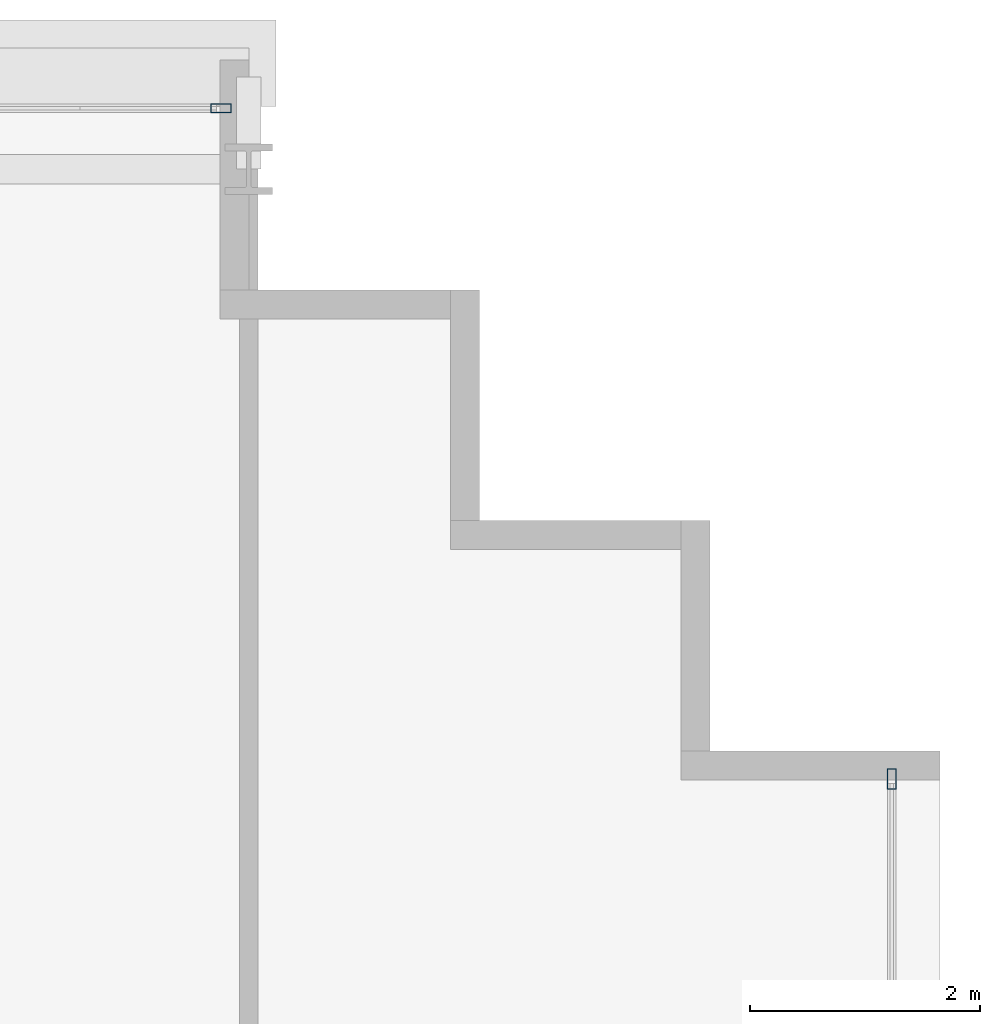
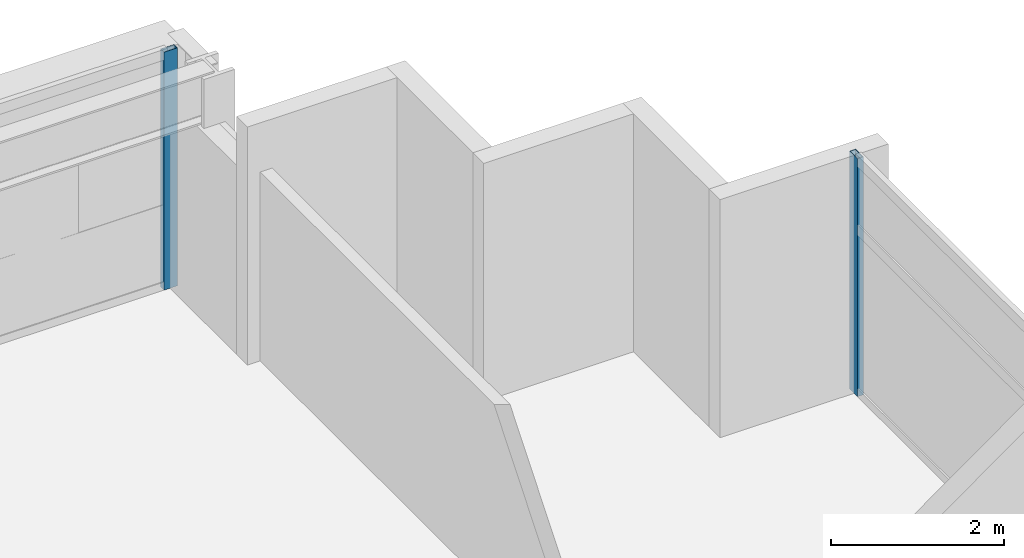
# One storey, part 22 of 34: 2 members, 2 elements without a shape of their own.
"""IFC4 building model written with IfcOpenShell, lengths in metres."""

from ifc_helpers import new_model, si_unit, direction, frame, origin, origin_2d, place, context, subcontext, project, spatial, hollow_rectangle, extrude, source, transform, mapped, material, layer, layer_set, material_profile, profile_set, type_object, element, aggregate, save


model = new_model("IFC4")

# Units and contexts
model_context = context("Model", 3, precision=1e-05, world=origin(), true_north=direction((0.0, 1.0)))
body_context = subcontext(model_context, "Body", "Model", "MODEL_VIEW")
ifc_project = project(units=[si_unit("LENGTHUNIT", "METRE"), si_unit("AREAUNIT", "SQUARE_METRE"), si_unit("VOLUMEUNIT", "CUBIC_METRE"), si_unit("PLANEANGLEUNIT", "RADIAN"), si_unit("MASSUNIT", "GRAM", prefix="KILO")], contexts=[model_context])

# Site, building, storey
site_placement = place(None, origin())
site = spatial("IfcSite", under=ifc_project, at=site_placement, CompositionType="ELEMENT")
building_placement = place(site_placement, origin())
building = spatial("IfcBuilding", under=site, at=building_placement, Name="Ocotamira Hotel", CompositionType="ELEMENT")
storey_placement = place(building_placement, frame((0.0, 0.0, 111.60009765625)))
storey = spatial("IfcBuildingStorey", under=building, at=storey_placement, Name="L27", CompositionType="ELEMENT", Elevation=111.60009765625)

# Curtain wall, member
ifc_material_1 = material(Name="Anodised pale-metal aluminium and solar glass", Category="aluminium")
ifc_layer = layer(ifc_material_1, 0.179931640625)
ifc_layer_set = layer_set([ifc_layer], Name="Anodised pale-metal aluminium and solar glass")
curtain_wall_type = type_object("IfcCurtainWallType", Name="CW-SYS3-Z2", PredefinedType="NOTDEFINED", material=ifc_layer_set)
curtain_wall_1_placement = place(storey_placement, origin())
curtain_wall_1 = element("IfcCurtainWall", 1, at=curtain_wall_1_placement, inside=storey, type_object=curtain_wall_type, Name="L27 Curtain Wall CW-3 CW-L27-N", PredefinedType="NOTDEFINED")
ifc_material_2 = material(Name="Anodised pale-metal aluminium 6063-T6", Category="aluminium")
ifc_material_profile = material_profile(ifc_material_2, hollow_rectangle(XDim=0.080078125, YDim=0.179931640625, WallThickness=0.006103515625, at=origin_2d()), Name="HSS180X80X6")
ifc_profile_set = profile_set([ifc_material_profile], Name="Anodised pale-metal aluminium 6063-T6")
member_type = type_object("IfcMemberType", Name="CWM-180X75", PredefinedType="MULLION", material=ifc_profile_set)
shared_shape = source(origin(), body_context, "Body", "SweptSolid", [
    extrude(hollow_rectangle(XDim=0.080078125, YDim=0.179931640625, WallThickness=0.006103515625, at=origin_2d()), origin(), (0.0, 0.0, 1.0), 3.35986328125),
])
member_1_placement = place(storey_placement, frame((49.760009765625, 49.580078125, 0.0), z_axis=(0.0, 0.0, 1.0), x_axis=(0.0, 1.0, 0.0)))
member_1 = element("IfcMember", 2, at=member_1_placement, type_object=member_type, Name="CW-3 mullion 10", PredefinedType="MULLION", context=body_context, shape_type="MappedRepresentation", body=[
    mapped(shared_shape, transform((0.0, 0.0, 0.0), scale=1.0)),
])
aggregate(curtain_wall_1, [member_1])

curtain_wall_2_placement = place(storey_placement, origin())
curtain_wall_2 = element("IfcCurtainWall", 3, at=curtain_wall_2_placement, inside=storey, type_object=curtain_wall_type, Name="L27 Curtain Wall CW-3 CW-L27-E", PredefinedType="NOTDEFINED")
member_2_placement = place(storey_placement, frame((55.580078125, 43.760009765625, 0.0), z_axis=(0.0, 0.0, 1.0), x_axis=(-1.0, 0.0, 0.0)))
member_2 = element("IfcMember", 4, at=member_2_placement, type_object=member_type, Name="CW-3 mullion 8", PredefinedType="MULLION", context=body_context, shape_type="MappedRepresentation", body=[
    mapped(shared_shape, transform((0.0, 0.0, 0.0), scale=1.0)),
])
aggregate(curtain_wall_2, [member_2])

save(model, "model.ifc")
